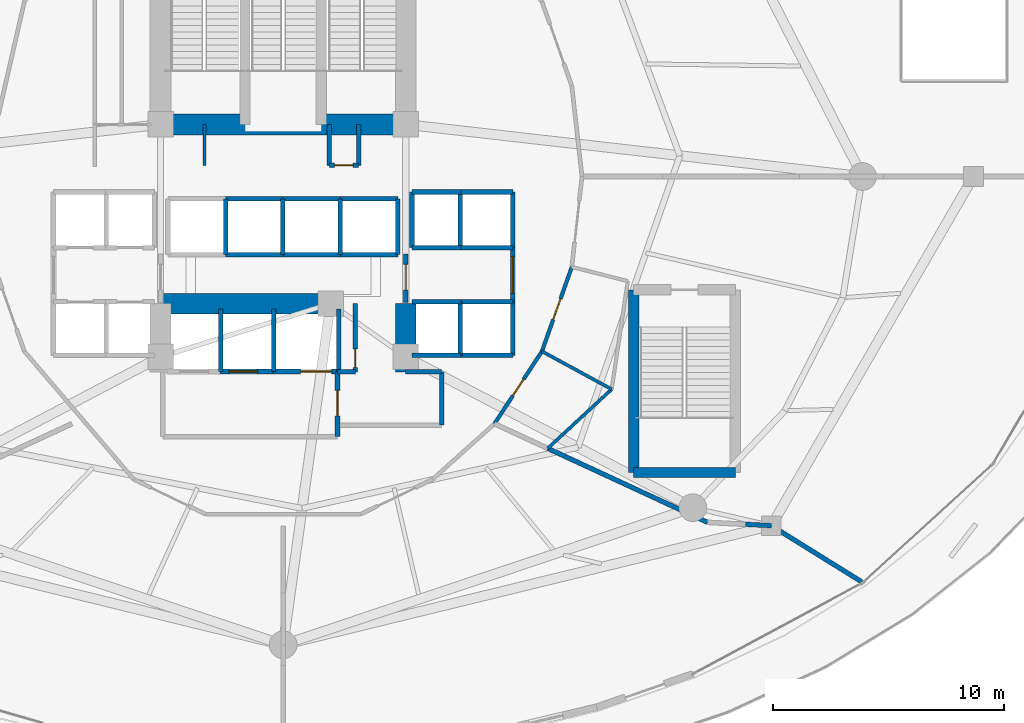
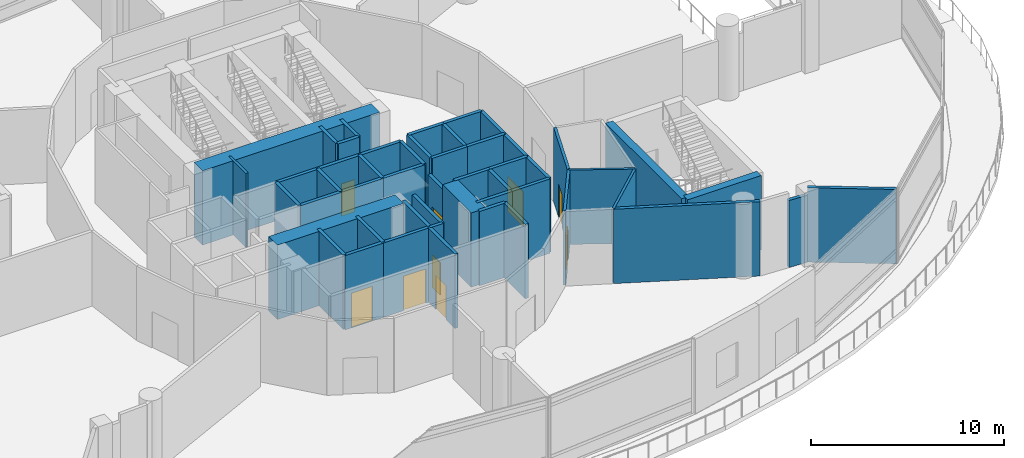
# One storey, part 27 of 36: 51 walls, 9 doors, 9 openings.
"""IFC4 building model written with IfcOpenShell, lengths in metres."""

import ifcopenshell
import ifcopenshell.guid

model = None  # the IFC model being written
_history = None  # IfcOwnerHistory: only IFC2X3 demands one
_inside = {}  # id of a spatial element -> (the spatial element, [elements in it])
_under = {}  # id of a project, library or spatial element -> (it, [spatial elements below it])
_declared = {}  # id of a project -> (the project, [libraries it declares])
_typed = {}  # id of a type object -> (the type object, [elements of that type])
_made_of = {}  # id of a material, layer set ... -> (it, [elements and type objects made of it])


def new_model(schema):
    """Start an empty IFC model of exactly this schema.

    Asked for "IFC4X3", IfcOpenShell would pick the latest addendum, in which some entities
    have other attributes; the version numbers below select the first issue.
    IFC2X3 requires an IfcOwnerHistory on every rooted entity: one is made here for all.
    """
    global model, _history
    if schema == "IFC4X3":
        model = ifcopenshell.file(schema_version=(4, 3, 0, 0))
    else:
        model = ifcopenshell.file(schema=schema)
    _inside.clear()
    _under.clear()
    _declared.clear()
    _typed.clear()
    _made_of.clear()
    _history = None
    if model.schema == "IFC2X3":
        org = make("IfcOrganization", Name="unknown")
        user = make(
            "IfcPersonAndOrganization",
            ThePerson=make("IfcPerson", FamilyName="unknown"),
            TheOrganization=org,
        )
        app = make(
            "IfcApplication",
            ApplicationDeveloper=org,
            Version="unknown",
            ApplicationFullName="unknown",
            ApplicationIdentifier="unknown",
        )
        _history = make(
            "IfcOwnerHistory",
            OwningUser=user,
            OwningApplication=app,
            ChangeAction="ADDED",
            CreationDate=0,
        )
    return model


def make(cls, **values):
    """One entity of the class cls with the attributes given. An attribute that is None is left unset."""
    return model.create_entity(
        cls, **{name: value for name, value in values.items() if value is not None}
    )


def rooted(cls, **values):
    """An entity with a GlobalId (a new one), such as an element, a storey or a relation."""
    return make(cls, GlobalId=ifcopenshell.guid.new(), OwnerHistory=_history, **values)


def si_unit(unit_type, name, prefix=None):
    """IfcSIUnit, for example si_unit("LENGTHUNIT", "METRE", prefix="MILLI")."""
    return make("IfcSIUnit", UnitType=unit_type, Prefix=prefix, Name=name)


def assignment(units):
    """IfcUnitAssignment: the units of a project."""
    return None if units is None else make("IfcUnitAssignment", Units=units)


def point(xyz):
    """IfcCartesianPoint."""
    return None if xyz is None else make("IfcCartesianPoint", Coordinates=xyz)


def direction(xyz):
    """IfcDirection."""
    return None if xyz is None else make("IfcDirection", DirectionRatios=xyz)


def frame(location, z_axis=None, x_axis=None):
    """IfcAxis2Placement3D, a coordinate frame: its origin and axes. An axis left out is left unset."""
    return make(
        "IfcAxis2Placement3D",
        Location=point(location),
        Axis=direction(z_axis),
        RefDirection=direction(x_axis),
    )


def frame_2d(location, x_axis=None):
    """IfcAxis2Placement2D, a coordinate frame in the plane: its origin and x axis."""
    return make(
        "IfcAxis2Placement2D", Location=point(location), RefDirection=direction(x_axis)
    )


def origin():
    """The frame at (0, 0, 0) with its axes left unset."""
    return frame((0.0, 0.0, 0.0))


def place(relative_to, where):
    """IfcLocalPlacement: puts the frame where relative to a parent placement (None: the world)."""
    return make(
        "IfcLocalPlacement", PlacementRelTo=relative_to, RelativePlacement=where
    )


def context(
    kind, dimensions, precision=None, world=None, true_north=None, identifier=None
):
    """IfcGeometricRepresentationContext, for example the 3D "Model" context."""
    return make(
        "IfcGeometricRepresentationContext",
        ContextIdentifier=identifier,
        ContextType=kind,
        CoordinateSpaceDimension=dimensions,
        Precision=precision,
        WorldCoordinateSystem=world,
        TrueNorth=true_north,
    )


def subcontext(parent, identifier, kind, view, scale=None):
    """IfcGeometricRepresentationSubContext, for example "Body" below "Model"."""
    return make(
        "IfcGeometricRepresentationSubContext",
        ContextIdentifier=identifier,
        ContextType=kind,
        ParentContext=parent,
        TargetScale=scale,
        TargetView=view,
    )


def project(units=None, contexts=None):
    """IfcProject with its units and contexts."""
    return rooted(
        "IfcProject",
        Name="project",
        RepresentationContexts=contexts,
        UnitsInContext=assignment(units),
    )


def spatial(cls, under=None, at=None, **own):
    """A site, building, storey or space (cls), placed at a placement, below another one or the project."""
    s = rooted(cls, ObjectPlacement=at, **own)
    if under is not None:
        _under.setdefault(under.id(), (under, []))[1].append(s)
    return s


def profile(cls, at=None, kind="AREA", **sizes):
    """A parametric profile (cls). Its sizes go by their IFC names, for example OverallWidth=200.0."""
    return make(cls, ProfileType=kind, Position=at, **sizes)


def rectangle(**sizes):
    """IfcRectangleProfileDef."""
    return profile("IfcRectangleProfileDef", **sizes)


def extrude(swept, where, along, depth):
    """IfcExtrudedAreaSolid: the profile swept, set in the frame where, extruded along a direction by depth."""
    return make(
        "IfcExtrudedAreaSolid",
        SweptArea=swept,
        Position=where,
        ExtrudedDirection=direction(along),
        Depth=depth,
    )


def shape(context_of_items, identifier, shape_type, items):
    """IfcShapeRepresentation: the items that make up one representation, for example the "Body"."""
    return make(
        "IfcShapeRepresentation",
        ContextOfItems=context_of_items,
        RepresentationIdentifier=identifier,
        RepresentationType=shape_type,
        Items=items,
    )


def material(Name=None, Category=None):
    """IfcMaterial."""
    return make("IfcMaterial", Name=Name, Category=Category)


def layer(
    of_material, thickness, ventilated=None, Name=None, Category=None, Priority=None
):
    """IfcMaterialLayer: one layer of a wall or slab, of a material (None: an air gap)."""
    return make(
        "IfcMaterialLayer",
        Material=of_material,
        LayerThickness=thickness,
        IsVentilated=ventilated,
        Name=Name,
        Category=Category,
        Priority=Priority,
    )


def layer_set(layers, Name=None):
    """IfcMaterialLayerSet."""
    return make("IfcMaterialLayerSet", MaterialLayers=layers, LayerSetName=Name)


def made_of(thing, what):
    """Note that an element or type object is made of a material, layer set ...; save() writes the relation."""
    if what is not None:
        _made_of.setdefault(what.id(), (what, []))[1].append(thing)
    return thing


def type_object(cls, material=None, **own):
    """A type object (cls), such as IfcWallType, which elements share."""
    return made_of(rooted(cls, **own), material)


def element(
    cls,
    number,
    at=None,
    inside=None,
    cuts=None,
    type_object=None,
    material=None,
    context=None,
    identifier="Body",
    shape_type=None,
    held_by="IfcProductDefinitionShape",
    body=None,
    shapes=None,
    **own,
):
    """One element of the class cls, such as IfcWall. Its Tag is "e" and its number.

    at: its placement. inside: the storey or other place that contains it. cuts: it is an
    opening in that element (IfcRelVoidsElement). A single representation is given by context,
    identifier, shape_type and body (its items); several are given by shapes. held_by: the class
    of the entity that holds the representations. save() writes the other relations.
    """
    e = rooted(cls, Tag="e%d" % number, ObjectPlacement=at, **own)
    if body is not None:
        shapes = [shape(context, identifier, shape_type, body)]
    if shapes is not None:
        e.Representation = make(held_by, Representations=shapes)
    if inside is not None:
        _inside.setdefault(inside.id(), (inside, []))[1].append(e)
    if cuts is not None:
        rooted(
            "IfcRelVoidsElement", RelatingBuildingElement=cuts, RelatedOpeningElement=e
        )
    if type_object is not None:
        _typed.setdefault(type_object.id(), (type_object, []))[1].append(e)
    return made_of(e, material)


def fill(opening, filler):
    """IfcRelFillsElement: the door or window that sits in an opening."""
    return rooted(
        "IfcRelFillsElement",
        RelatingOpeningElement=opening,
        RelatedBuildingElement=filler,
    )


def aggregate(whole, parts):
    """IfcRelAggregates: a whole, such as a stair, and the parts it consists of."""
    return rooted("IfcRelAggregates", RelatingObject=whole, RelatedObjects=parts)


def save(model, path):
    """Write the relations noted so far, then the file.

    IfcRelAggregates (storeys below a building ...), IfcRelContainedInSpatialStructure (elements
    in a storey), IfcRelDefinesByType, IfcRelAssociatesMaterial and IfcRelDeclares: one each for
    every whole, place, type object, material and project.
    """
    for whole, parts in _under.values():
        aggregate(whole, parts)
    for where, things in _inside.values():
        rooted(
            "IfcRelContainedInSpatialStructure",
            RelatedElements=things,
            RelatingStructure=where,
        )
    for kind, things in _typed.values():
        rooted("IfcRelDefinesByType", RelatedObjects=things, RelatingType=kind)
    for what, things in _made_of.values():
        rooted("IfcRelAssociatesMaterial", RelatedObjects=things, RelatingMaterial=what)
    for by, libraries in _declared.values():
        rooted("IfcRelDeclares", RelatingContext=by, RelatedDefinitions=libraries)
    model.write(path)


model = new_model("IFC4")

# Units and contexts
model_context = context("Model", 3, precision=1e-05, world=origin(), true_north=direction((0.0, 1.0)))
body_context = subcontext(model_context, "Body", "Model", "MODEL_VIEW")
ifc_project = project(units=[si_unit("LENGTHUNIT", "METRE"), si_unit("AREAUNIT", "SQUARE_METRE"), si_unit("VOLUMEUNIT", "CUBIC_METRE"), si_unit("PLANEANGLEUNIT", "RADIAN"), si_unit("MASSUNIT", "GRAM", prefix="KILO")], contexts=[model_context])

# Site, building, storey
site_placement = place(None, origin())
site = spatial("IfcSite", under=ifc_project, at=site_placement, CompositionType="ELEMENT")
building_placement = place(site_placement, origin())
building = spatial("IfcBuilding", under=site, at=building_placement, Name="Nuhasar Tower", CompositionType="ELEMENT")
storey_placement = place(building_placement, frame((0.0, 0.0, 11.0)))
storey = spatial("IfcBuildingStorey", under=building, at=storey_placement, Name="L02", CompositionType="ELEMENT", Elevation=11.0)

# Walls
ifc_material_1 = material(Name="Concrete C50/60", Category="concrete")
ifc_layer_1 = layer(ifc_material_1, 0.449951171875)
ifc_layer_set_1 = layer_set([ifc_layer_1], Name="Concrete C50/60")
wall_type_1 = type_object("IfcWallType", Name="WL-CORE-450", PredefinedType="SHEAR", material=ifc_layer_set_1)
wall_1_placement = place(storey_placement, frame((54.14990234375, 14.0, 0.0), z_axis=(0.0, 0.0, 1.0), x_axis=(1.0, 0.0, 0.0)))
element("IfcWall", 1, at=wall_1_placement, inside=storey, type_object=wall_type_1, Name="L02 Stairwell Shear Wall ST-05-S", PredefinedType="SHEAR", context=body_context, shape_type="SweptSolid", body=[
    extrude(rectangle(XDim=4.400146484375, YDim=0.449951171875, at=frame_2d((2.2001953125, 0.0))), origin(), (0.0, 0.0, 1.0), 4.699951171875),
])
wall_2_placement = place(storey_placement, frame((54.14990234375, 14.0, 0.0), z_axis=(0.0, 0.0, 1.0), x_axis=(0.0, 1.0, 0.0)))
element("IfcWall", 2, at=wall_2_placement, inside=storey, type_object=wall_type_1, Name="L02 Stairwell Shear Wall ST-05-W", PredefinedType="SHEAR", context=body_context, shape_type="SweptSolid", body=[
    extrude(rectangle(XDim=7.89990234375, YDim=0.449951171875, at=frame_2d((3.949951171875, 0.0))), origin(), (0.0, 0.0, 1.0), 4.699951171875),
])
ifc_material_2 = material(Name="Concrete C80/95", Category="concrete")
ifc_layer_2 = layer(ifc_material_2, 0.89990234375)
ifc_layer_set_2 = layer_set([ifc_layer_2], Name="Concrete C80/95")
wall_type_2 = type_object("IfcWallType", Name="WL-CORE-900", PredefinedType="SHEAR", material=ifc_layer_set_2)
wall_3_placement = place(storey_placement, frame((44.300048828125, 18.35009765625, 0.0), z_axis=(0.0, 0.0, 1.0), x_axis=(0.0, 1.0, 0.0)))
element("IfcWall", 3, at=wall_3_placement, inside=storey, type_object=wall_type_2, Name="L02 Core Shear Wall CW-SE CW-900", PredefinedType="SHEAR", context=body_context, shape_type="SweptSolid", body=[
    extrude(rectangle(XDim=2.949951171875, YDim=0.89990234375, at=frame_2d((1.47509765625, 0.0))), origin(), (0.0, 0.0, 1.0), 4.699951171875),
])
wall_4_placement = place(storey_placement, frame((33.699951171875, 29.050048828125, 0.0), z_axis=(0.0, 0.0, 1.0), x_axis=(1.0, 0.0, 0.0)))
element("IfcWall", 4, at=wall_4_placement, inside=storey, type_object=wall_type_2, Name="L02 Core Shear Wall CW-N1 CW-900", PredefinedType="SHEAR", context=body_context, shape_type="SweptSolid", body=[
    extrude(rectangle(XDim=10.60009765625, YDim=0.89990234375, at=frame_2d((5.300048828125, 0.0))), origin(), (0.0, 0.0, 1.0), 4.699951171875),
])
wall_5_placement = place(storey_placement, frame((33.699951171875, 21.300048828125, 0.0), z_axis=(0.0, 0.0, 1.0), x_axis=(1.0, 0.0, 0.0)))
element("IfcWall", 5, at=wall_5_placement, inside=storey, type_object=wall_type_2, Name="L02 Core Shear Wall CW-S1 CW-900", PredefinedType="SHEAR", context=body_context, shape_type="SweptSolid", body=[
    extrude(rectangle(XDim=7.550048828125, YDim=0.89990234375, at=frame_2d((3.77490234375, 0.0))), origin(), (0.0, 0.0, 1.0), 4.699951171875),
])

# Wall, opening, door
ifc_material_3 = material(Name="Gypsum Board", Category="gypsum")
ifc_layer_3 = layer(ifc_material_3, 0.159912109375)
ifc_layer_set_3 = layer_set([ifc_layer_3], Name="Gypsum Board")
wall_type_3 = type_object("IfcWallType", Name="WL-CORR-160", PredefinedType="PARTITIONING", material=ifc_layer_set_3)
wall_6_placement = place(storey_placement, frame((50.18896484375, 19.239990234375, 0.0), z_axis=(0.0, 0.0, 1.0), x_axis=(-0.548318837904, -0.836269365694, 0.0)))
wall_6 = element("IfcWall", 6, at=wall_6_placement, inside=storey, type_object=wall_type_3, Name="L02 Interior Partition CORR-42", PredefinedType="PARTITIONING", context=body_context, shape_type="SweptSolid", body=[
    extrude(rectangle(XDim=3.744140625, YDim=0.159912109375, at=frame_2d((1.8720703125, 0.0))), origin(), (0.0, 0.0, 1.0), 4.699951171875),
])
opening_1_placement = place(wall_6_placement, frame((1.447021484375, 0.0, 0.0)))
opening_1 = element("IfcOpeningElement", 7, at=opening_1_placement, cuts=wall_6, Name="Opening DB-01", PredefinedType="OPENING", context=body_context, shape_type="SweptSolid", body=[
    extrude(rectangle(XDim=0.85009765625, YDim=2.10009765625, at=frame_2d((0.425048828125, 1.050048828125))), frame((0.0, 0.08984375, 0.0), z_axis=(0.0, -1.0, 0.0), x_axis=(1.0, 0.0, 0.0)), (0.0, 0.0, 1.0), 0.179931640625),
])
ifc_material_4 = material(Name="Timber Oak", Category="wood")
door_type_1 = type_object("IfcDoorType", Name="DR-BATH-850", OperationType="NOTDEFINED", PredefinedType="DOOR", material=ifc_material_4)
door_1_placement = place(opening_1_placement, origin())
door_1 = element("IfcDoor", 8, at=door_1_placement, inside=storey, type_object=door_type_1, Name="L02 Conference Restroom Door", OperationType="SINGLE_SWING_LEFT", OverallHeight=2.10009765625, OverallWidth=0.85009765625, PredefinedType="DOOR", context=body_context, shape_type="SweptSolid", body=[
    extrude(rectangle(XDim=0.85009765625, YDim=2.10009765625, at=frame_2d((0.425048828125, 1.050048828125))), frame((0.0, 0.02490234375, 0.0), z_axis=(0.0, -1.0, 0.0), x_axis=(1.0, 0.0, 0.0)), (0.0, 0.0, 1.0), 0.050048828125),
])
fill(opening_1, door_1)

wall_7_placement = place(storey_placement, frame((51.47998046875, 22.886962890625, 0.0), z_axis=(0.0, 0.0, 1.0), x_axis=(-0.333704620558, -0.942677689467, 0.0)))
wall_7 = element("IfcWall", 9, at=wall_7_placement, inside=storey, type_object=wall_type_3, Name="L02 Interior Partition CORR-44", PredefinedType="PARTITIONING", context=body_context, shape_type="SweptSolid", body=[
    extrude(rectangle(XDim=3.86865234375, YDim=0.159912109375, at=frame_2d((1.934326171875, 0.0))), origin(), (0.0, 0.0, 1.0), 4.699951171875),
])
opening_2_placement = place(wall_7_placement, frame((1.458984375, 0.0, 0.0)))
opening_2 = element("IfcOpeningElement", 10, at=opening_2_placement, cuts=wall_7, Name="Opening DA-01", PredefinedType="OPENING", context=body_context, shape_type="SweptSolid", body=[
    extrude(rectangle(XDim=0.949951171875, YDim=2.10009765625, at=frame_2d((0.47509765625, 1.050048828125))), frame((0.0, 0.08984375, 0.0), z_axis=(0.0, -1.0, 0.0), x_axis=(1.0, 0.0, 0.0)), (0.0, 0.0, 1.0), 0.179931640625),
])
door_type_2 = type_object("IfcDoorType", Name="DR-ACCWC-950", OperationType="NOTDEFINED", PredefinedType="DOOR", material=ifc_material_4)
door_2_placement = place(opening_2_placement, origin())
door_2 = element("IfcDoor", 11, at=door_2_placement, inside=storey, type_object=door_type_2, Name="L02 Conference Accessible WC Door", OperationType="SINGLE_SWING_RIGHT", OverallHeight=2.10009765625, OverallWidth=0.949951171875, PredefinedType="DOOR", context=body_context, shape_type="SweptSolid", body=[
    extrude(rectangle(XDim=0.949951171875, YDim=2.10009765625, at=frame_2d((0.47509765625, 1.050048828125))), frame((0.0, 0.02490234375, 0.0), z_axis=(0.0, -1.0, 0.0), x_axis=(1.0, 0.0, 0.0)), (0.0, 0.0, 1.0), 0.050048828125),
])
fill(opening_2, door_2)

ifc_material_5 = material(Name="Concrete C45/55", Category="concrete")
ifc_layer_4 = layer(ifc_material_5, 0.199951171875)
ifc_layer_set_4 = layer_set([ifc_layer_4], Name="Concrete C45/55")
wall_type_4 = type_object("IfcWallType", Name="WL-LOBBY-200", PredefinedType="SOLIDWALL", material=ifc_layer_set_4)
wall_8_placement = place(storey_placement, frame((48.929931640625, 21.3798828125, 0.0), z_axis=(0.0, 0.0, 1.0), x_axis=(0.0, 1.0, 0.0)))
wall_8 = element("IfcWall", 12, at=wall_8_placement, inside=storey, type_object=wall_type_4, Name="L02 Interior Partition LLBM-E", PredefinedType="SOLIDWALL", context=body_context, shape_type="SweptSolid", body=[
    extrude(rectangle(XDim=2.340087890625, YDim=0.199951171875, at=frame_2d((1.169921875, 0.0))), origin(), (0.0, 0.0, 1.0), 4.699951171875),
])
opening_3_placement = place(wall_8_placement, frame((0.3701171875, 0.0, 0.0)))
opening_3 = element("IfcOpeningElement", 13, at=opening_3_placement, cuts=wall_8, Name="Opening DC-01", PredefinedType="OPENING", context=body_context, shape_type="SweptSolid", body=[
    extrude(rectangle(XDim=1.60009765625, YDim=2.199951171875, at=frame_2d((0.800048828125, 1.10009765625))), frame((0.0, 0.10986328125, 0.0), z_axis=(0.0, -1.0, 0.0), x_axis=(1.0, 0.0, 0.0)), (0.0, 0.0, 1.0), 0.219970703125),
])
ifc_material_6 = material(Name="Steel S355", Category="steel")
door_type_3 = type_object("IfcDoorType", Name="DR-CORR-FD60-1600", OperationType="DOUBLE_DOOR_SINGLE_SWING", PredefinedType="DOOR", material=ifc_material_6)
door_3_placement = place(opening_3_placement, origin())
door_3 = element("IfcDoor", 14, at=door_3_placement, inside=storey, type_object=door_type_3, Name="L02 Mid-Rise Lift Lobby East Entry", OperationType="DOUBLE_DOOR_SINGLE_SWING", OverallHeight=2.199951171875, OverallWidth=1.60009765625, PredefinedType="DOOR", context=body_context, shape_type="SweptSolid", body=[
    extrude(rectangle(XDim=1.60009765625, YDim=2.199951171875, at=frame_2d((0.800048828125, 1.10009765625))), frame((0.0, 0.02490234375, 0.0), z_axis=(0.0, -1.0, 0.0), x_axis=(1.0, 0.0, 0.0)), (0.0, 0.0, 1.0), 0.050048828125),
])
fill(opening_3, door_3)

wall_9_placement = place(storey_placement, frame((44.300048828125, 21.35009765625, 0.0), z_axis=(0.0, 0.0, 1.0), x_axis=(0.0, 1.0, 0.0)))
wall_9 = element("IfcWall", 15, at=wall_9_placement, inside=storey, type_object=wall_type_4, Name="L02 Interior Partition LLBH-E", PredefinedType="SOLIDWALL", context=body_context, shape_type="SweptSolid", body=[
    extrude(rectangle(XDim=2.099853515625, YDim=0.199951171875, at=frame_2d((1.0498046875, 0.0))), origin(), (0.0, 0.0, 1.0), 3.919921875),
])
opening_4_placement = place(wall_9_placement, frame((0.550048828125, 0.0, 0.0)))
opening_4 = element("IfcOpeningElement", 16, at=opening_4_placement, cuts=wall_9, Name="Opening DS-02", PredefinedType="OPENING", context=body_context, shape_type="SweptSolid", body=[
    extrude(rectangle(XDim=1.10009765625, YDim=2.14990234375, at=frame_2d((0.550048828125, 1.074951171875))), frame((0.0, 0.10986328125, 0.0), z_axis=(0.0, -1.0, 0.0), x_axis=(1.0, 0.0, 0.0)), (0.0, 0.0, 1.0), 0.219970703125),
])
door_type_4 = type_object("IfcDoorType", Name="DR-FFL-FD120-1100", OperationType="NOTDEFINED", PredefinedType="DOOR", material=ifc_material_6)
door_4_placement = place(opening_4_placement, origin())
door_4 = element("IfcDoor", 17, at=door_4_placement, inside=storey, type_object=door_type_4, Name="L02 High-Rise Lobby East Door", OperationType="SINGLE_SWING_RIGHT", OverallHeight=2.14990234375, OverallWidth=1.10009765625, PredefinedType="DOOR", context=body_context, shape_type="SweptSolid", body=[
    extrude(rectangle(XDim=1.10009765625, YDim=2.14990234375, at=frame_2d((0.550048828125, 1.074951171875))), frame((0.0, 0.02490234375, 0.0), z_axis=(0.0, -1.0, 0.0), x_axis=(1.0, 0.0, 0.0)), (0.0, 0.0, 1.0), 0.050048828125),
])
fill(opening_4, door_4)

wall_10_placement = place(storey_placement, frame((41.35009765625, 15.550048828125, 0.0), z_axis=(0.0, 0.0, 1.0), x_axis=(0.0, 1.0, 0.0)))
wall_10 = element("IfcWall", 18, at=wall_10_placement, inside=storey, type_object=wall_type_4, Name="L02 Interior Partition FFL-E", PredefinedType="SOLIDWALL", context=body_context, shape_type="SweptSolid", body=[
    extrude(rectangle(XDim=2.800048828125, YDim=0.199951171875, at=frame_2d((1.39990234375, 0.0))), origin(), (0.0, 0.0, 1.0), 4.699951171875),
])
opening_5_placement = place(wall_10_placement, frame((0.89990234375, 0.0, 0.0)))
opening_5 = element("IfcOpeningElement", 19, at=opening_5_placement, cuts=wall_10, Name="Opening DS-02", PredefinedType="OPENING", context=body_context, shape_type="SweptSolid", body=[
    extrude(rectangle(XDim=1.10009765625, YDim=2.14990234375, at=frame_2d((0.550048828125, 1.074951171875))), frame((0.0, 0.10986328125, 0.0), z_axis=(0.0, -1.0, 0.0), x_axis=(1.0, 0.0, 0.0)), (0.0, 0.0, 1.0), 0.219970703125),
])
door_5_placement = place(opening_5_placement, origin())
door_5 = element("IfcDoor", 20, at=door_5_placement, inside=storey, type_object=door_type_4, Name="L02 Firefighting Lobby Door", OperationType="SINGLE_SWING_RIGHT", OverallHeight=2.14990234375, OverallWidth=1.10009765625, PredefinedType="DOOR", context=body_context, shape_type="SweptSolid", body=[
    extrude(rectangle(XDim=1.10009765625, YDim=2.14990234375, at=frame_2d((0.550048828125, 1.074951171875))), frame((0.0, 0.02490234375, 0.0), z_axis=(0.0, -1.0, 0.0), x_axis=(1.0, 0.0, 0.0)), (0.0, 0.0, 1.0), 0.050048828125),
])
fill(opening_5, door_5)

# Walls
wall_11_placement = place(storey_placement, frame((45.85009765625, 16.050048828125, 0.0), z_axis=(0.0, 0.0, 1.0), x_axis=(0.0, 1.0, 0.0)))
element("IfcWall", 21, at=wall_11_placement, inside=storey, type_object=wall_type_4, Name="L02 Interior Partition SVLV-E", PredefinedType="SOLIDWALL", context=body_context, shape_type="SweptSolid", body=[
    extrude(rectangle(XDim=2.300048828125, YDim=0.199951171875, at=frame_2d((1.14990234375, 0.0))), origin(), (0.0, 0.0, 1.0), 4.699951171875),
])
wall_12_placement = place(storey_placement, frame((44.300048828125, 18.35009765625, 0.0), z_axis=(0.0, 0.0, 1.0), x_axis=(1.0, 0.0, 0.0)))
element("IfcWall", 22, at=wall_12_placement, inside=storey, type_object=wall_type_4, Name="L02 Interior Partition SVLV-N", PredefinedType="SOLIDWALL", context=body_context, shape_type="SweptSolid", body=[
    extrude(rectangle(XDim=1.550048828125, YDim=0.199951171875, at=frame_2d((0.77490234375, 0.0))), origin(), (0.0, 0.0, 1.0), 4.699951171875),
])
ifc_layer_5 = layer(ifc_material_5, 0.199951171875)
ifc_layer_set_5 = layer_set([ifc_layer_5], Name="Concrete C45/55")
wall_type_5 = type_object("IfcWallType", Name="WL-SHAFT-200", PredefinedType="SOLIDWALL", material=ifc_layer_set_5)
for number, where, z_axis, x_axis, name in (
    (23, (41.0, 27.280029296875, 0.0), (0.0, 0.0, 1.0), (0.0, 1.0, 0.0), "L02 Interior Partition RSRN-W"),
    (24, (42.260009765625, 27.280029296875, 0.0), (0.0, 0.0, 1.0), (0.0, 1.0, 0.0), "L02 Interior Partition RSRN-E"),
):
    element("IfcWall", number, at=place(storey_placement, frame(where, z_axis=z_axis, x_axis=x_axis)), inside=storey, type_object=wall_type_5, Name=name, PredefinedType="SOLIDWALL", context=body_context, shape_type="SweptSolid", body=[
        extrude(rectangle(XDim=1.77001953125, YDim=0.199951171875, at=frame_2d((0.885009765625, 0.0))), origin(), (0.0, 0.0, 1.0), 4.699951171875),
    ])

# Wall, opening, door
wall_13_placement = place(storey_placement, frame((41.0, 27.280029296875, 0.0), z_axis=(0.0, 0.0, 1.0), x_axis=(1.0, 0.0, 0.0)))
wall_13 = element("IfcWall", 25, at=wall_13_placement, inside=storey, type_object=wall_type_5, Name="L02 Interior Partition RSRN-S", PredefinedType="SOLIDWALL", context=body_context, shape_type="SweptSolid", body=[
    extrude(rectangle(XDim=1.260009765625, YDim=0.199951171875, at=frame_2d((0.6298828125, 0.0))), origin(), (0.0, 0.0, 1.0), 4.699951171875),
])
opening_6_placement = place(wall_13_placement, frame((0.22998046875, 0.0, 0.0)))
opening_6 = element("IfcOpeningElement", 26, at=opening_6_placement, cuts=wall_13, Name="Opening DM-01", PredefinedType="OPENING", context=body_context, shape_type="SweptSolid", body=[
    extrude(rectangle(XDim=0.800048828125, YDim=2.050048828125, at=frame_2d((0.39990234375, 1.02490234375))), frame((0.0, 0.10986328125, 0.0), z_axis=(0.0, -1.0, 0.0), x_axis=(1.0, 0.0, 0.0)), (0.0, 0.0, 1.0), 0.219970703125),
])
door_type_5 = type_object("IfcDoorType", Name="DR-RISER-FD60-800", OperationType="NOTDEFINED", PredefinedType="DOOR", material=ifc_material_6)
door_6_placement = place(opening_6_placement, origin())
door_6 = element("IfcDoor", 27, at=door_6_placement, inside=storey, type_object=door_type_5, Name="L02 North Smoke Riser Door", OperationType="SINGLE_SWING_RIGHT", OverallHeight=2.050048828125, OverallWidth=0.800048828125, PredefinedType="DOOR", context=body_context, shape_type="SweptSolid", body=[
    extrude(rectangle(XDim=0.800048828125, YDim=2.050048828125, at=frame_2d((0.39990234375, 1.02490234375))), frame((0.0, 0.02490234375, 0.0), z_axis=(0.0, -1.0, 0.0), x_axis=(1.0, 0.0, 0.0)), (0.0, 0.0, 1.0), 0.050048828125),
])
fill(opening_6, door_6)

# Walls
for number, where, z_axis, x_axis, name in (
    (28, (44.570068359375, 23.719970703125, 0.0), (0.0, 0.0, 1.0), (1.0, 0.0, 0.0), "L02 Interior Partition SHF-PL-M01-S"),
    (29, (44.570068359375, 26.1298828125, 0.0), (0.0, 0.0, 1.0), (1.0, 0.0, 0.0), "L02 Interior Partition SHF-PL-M01-N"),
):
    element("IfcWall", number, at=place(storey_placement, frame(where, z_axis=z_axis, x_axis=x_axis)), inside=storey, type_object=wall_type_5, Name=name, PredefinedType="SOLIDWALL", context=body_context, shape_type="SweptSolid", body=[
        extrude(rectangle(XDim=2.10986328125, YDim=0.199951171875, at=frame_2d((1.054931640625, 0.0))), origin(), (0.0, 0.0, 1.0), 4.699951171875),
    ])
for number, where, z_axis, x_axis, name in (
    (30, (44.570068359375, 23.719970703125, 0.0), (0.0, 0.0, 1.0), (0.0, 1.0, 0.0), "L02 Interior Partition SHF-PL-M01-W"),
    (31, (46.64990234375, 23.719970703125, 0.0), (0.0, 0.0, 1.0), (0.0, 1.0, 0.0), "L02 Interior Partition SHF-PL-M01-E"),
):
    element("IfcWall", number, at=place(storey_placement, frame(where, z_axis=z_axis, x_axis=x_axis)), inside=storey, type_object=wall_type_5, Name=name, PredefinedType="SOLIDWALL", context=body_context, shape_type="SweptSolid", body=[
        extrude(rectangle(XDim=2.409912109375, YDim=0.199951171875, at=frame_2d((1.205078125, 0.0))), origin(), (0.0, 0.0, 1.0), 4.699951171875),
    ])
for number, where, z_axis, x_axis, name in (
    (32, (46.6201171875, 23.719970703125, 0.0), (0.0, 0.0, 1.0), (1.0, 0.0, 0.0), "L02 Interior Partition SHF-PL-M02-S"),
    (33, (46.6201171875, 26.1298828125, 0.0), (0.0, 0.0, 1.0), (1.0, 0.0, 0.0), "L02 Interior Partition SHF-PL-M02-N"),
):
    element("IfcWall", number, at=place(storey_placement, frame(where, z_axis=z_axis, x_axis=x_axis)), inside=storey, type_object=wall_type_5, Name=name, PredefinedType="SOLIDWALL", context=body_context, shape_type="SweptSolid", body=[
        extrude(rectangle(XDim=2.309814453125, YDim=0.199951171875, at=frame_2d((1.15478515625, 0.0))), origin(), (0.0, 0.0, 1.0), 4.699951171875),
    ])
wall_14_placement = place(storey_placement, frame((48.929931640625, 23.719970703125, 0.0), z_axis=(0.0, 0.0, 1.0), x_axis=(0.0, 1.0, 0.0)))
element("IfcWall", 34, at=wall_14_placement, inside=storey, type_object=wall_type_5, Name="L02 Interior Partition SHF-PL-M02-E", PredefinedType="SOLIDWALL", context=body_context, shape_type="SweptSolid", body=[
    extrude(rectangle(XDim=2.409912109375, YDim=0.199951171875, at=frame_2d((1.205078125, 0.0))), origin(), (0.0, 0.0, 1.0), 4.699951171875),
])
for number, where, z_axis, x_axis, name in (
    (35, (44.570068359375, 19.070068359375, 0.0), (0.0, 0.0, 1.0), (1.0, 0.0, 0.0), "L02 Interior Partition SHF-PL-M03-S"),
    (36, (44.570068359375, 21.3798828125, 0.0), (0.0, 0.0, 1.0), (1.0, 0.0, 0.0), "L02 Interior Partition SHF-PL-M03-N"),
):
    element("IfcWall", number, at=place(storey_placement, frame(where, z_axis=z_axis, x_axis=x_axis)), inside=storey, type_object=wall_type_5, Name=name, PredefinedType="SOLIDWALL", context=body_context, shape_type="SweptSolid", body=[
        extrude(rectangle(XDim=2.10986328125, YDim=0.199951171875, at=frame_2d((1.054931640625, 0.0))), origin(), (0.0, 0.0, 1.0), 4.699951171875),
    ])
for number, where, z_axis, x_axis, name in (
    (37, (46.64990234375, 19.070068359375, 0.0), (0.0, 0.0, 1.0), (0.0, 1.0, 0.0), "L02 Interior Partition SHF-PL-M03-E"),
    (38, (46.6201171875, 19.070068359375, 0.0), (0.0, 0.0, 1.0), (1.0, 0.0, 0.0), "L02 Interior Partition SHF-PL-M04-S"),
    (39, (46.6201171875, 21.3798828125, 0.0), (0.0, 0.0, 1.0), (1.0, 0.0, 0.0), "L02 Interior Partition SHF-PL-M04-N"),
    (40, (48.929931640625, 19.070068359375, 0.0), (0.0, 0.0, 1.0), (0.0, 1.0, 0.0), "L02 Interior Partition SHF-PL-M04-E"),
):
    element("IfcWall", number, at=place(storey_placement, frame(where, z_axis=z_axis, x_axis=x_axis)), inside=storey, type_object=wall_type_5, Name=name, PredefinedType="SOLIDWALL", context=body_context, shape_type="SweptSolid", body=[
        extrude(rectangle(XDim=2.309814453125, YDim=0.199951171875, at=frame_2d((1.15478515625, 0.0))), origin(), (0.0, 0.0, 1.0), 4.699951171875),
    ])
wall_15_placement = place(storey_placement, frame((36.510009765625, 23.419921875, 0.0), z_axis=(0.0, 0.0, 1.0), x_axis=(0.0, 1.0, 0.0)))
element("IfcWall", 41, at=wall_15_placement, inside=storey, type_object=wall_type_5, Name="L02 Interior Partition SHF-PL-H01-E", PredefinedType="SOLIDWALL", context=body_context, shape_type="SweptSolid", body=[
    extrude(rectangle(XDim=2.41015625, YDim=0.199951171875, at=frame_2d((1.205078125, 0.0))), origin(), (0.0, 0.0, 1.0), 4.699951171875),
])
for number, where, z_axis, x_axis, name in (
    (42, (36.5, 23.419921875, 0.0), (0.0, 0.0, 1.0), (1.0, 0.0, 0.0), "L02 Interior Partition SHF-PL-H02-S"),
    (43, (36.5, 25.830078125, 0.0), (0.0, 0.0, 1.0), (1.0, 0.0, 0.0), "L02 Interior Partition SHF-PL-H02-N"),
):
    element("IfcWall", number, at=place(storey_placement, frame(where, z_axis=z_axis, x_axis=x_axis)), inside=storey, type_object=wall_type_5, Name=name, PredefinedType="SOLIDWALL", context=body_context, shape_type="SweptSolid", body=[
        extrude(rectangle(XDim=2.5, YDim=0.199951171875, at=frame_2d((1.25, 0.0))), origin(), (0.0, 0.0, 1.0), 4.699951171875),
    ])
wall_16_placement = place(storey_placement, frame((38.989990234375, 23.419921875, 0.0), z_axis=(0.0, 0.0, 1.0), x_axis=(0.0, 1.0, 0.0)))
element("IfcWall", 44, at=wall_16_placement, inside=storey, type_object=wall_type_5, Name="L02 Interior Partition SHF-PL-H02-E", PredefinedType="SOLIDWALL", context=body_context, shape_type="SweptSolid", body=[
    extrude(rectangle(XDim=2.41015625, YDim=0.199951171875, at=frame_2d((1.205078125, 0.0))), origin(), (0.0, 0.0, 1.0), 4.699951171875),
])
for number, where, z_axis, x_axis, name in (
    (45, (38.97998046875, 23.419921875, 0.0), (0.0, 0.0, 1.0), (1.0, 0.0, 0.0), "L02 Interior Partition SHF-PL-H03-S"),
    (46, (38.97998046875, 25.830078125, 0.0), (0.0, 0.0, 1.0), (1.0, 0.0, 0.0), "L02 Interior Partition SHF-PL-H03-N"),
):
    element("IfcWall", number, at=place(storey_placement, frame(where, z_axis=z_axis, x_axis=x_axis)), inside=storey, type_object=wall_type_5, Name=name, PredefinedType="SOLIDWALL", context=body_context, shape_type="SweptSolid", body=[
        extrude(rectangle(XDim=2.5, YDim=0.199951171875, at=frame_2d((1.25, 0.0))), origin(), (0.0, 0.0, 1.0), 4.699951171875),
    ])
wall_17_placement = place(storey_placement, frame((41.469970703125, 23.419921875, 0.0), z_axis=(0.0, 0.0, 1.0), x_axis=(0.0, 1.0, 0.0)))
element("IfcWall", 47, at=wall_17_placement, inside=storey, type_object=wall_type_5, Name="L02 Interior Partition SHF-PL-H03-E", PredefinedType="SOLIDWALL", context=body_context, shape_type="SweptSolid", body=[
    extrude(rectangle(XDim=2.41015625, YDim=0.199951171875, at=frame_2d((1.205078125, 0.0))), origin(), (0.0, 0.0, 1.0), 4.699951171875),
])
for number, where, z_axis, x_axis, name in (
    (48, (41.4599609375, 23.419921875, 0.0), (0.0, 0.0, 1.0), (1.0, 0.0, 0.0), "L02 Interior Partition SHF-PL-H04-S"),
    (49, (41.4599609375, 25.830078125, 0.0), (0.0, 0.0, 1.0), (1.0, 0.0, 0.0), "L02 Interior Partition SHF-PL-H04-N"),
):
    element("IfcWall", number, at=place(storey_placement, frame(where, z_axis=z_axis, x_axis=x_axis)), inside=storey, type_object=wall_type_5, Name=name, PredefinedType="SOLIDWALL", context=body_context, shape_type="SweptSolid", body=[
        extrude(rectangle(XDim=2.5, YDim=0.199951171875, at=frame_2d((1.25, 0.0))), origin(), (0.0, 0.0, 1.0), 4.699951171875),
    ])
wall_18_placement = place(storey_placement, frame((43.9599609375, 23.419921875, 0.0), z_axis=(0.0, 0.0, 1.0), x_axis=(0.0, 1.0, 0.0)))
element("IfcWall", 50, at=wall_18_placement, inside=storey, type_object=wall_type_5, Name="L02 Interior Partition SHF-PL-H04-E", PredefinedType="SOLIDWALL", context=body_context, shape_type="SweptSolid", body=[
    extrude(rectangle(XDim=2.41015625, YDim=0.199951171875, at=frame_2d((1.205078125, 0.0))), origin(), (0.0, 0.0, 1.0), 4.699951171875),
])
wall_19_placement = place(storey_placement, frame((36.300048828125, 18.3701171875, 0.0), z_axis=(0.0, 0.0, 1.0), x_axis=(0.0, 1.0, 0.0)))
element("IfcWall", 51, at=wall_19_placement, inside=storey, type_object=wall_type_5, Name="L02 Interior Partition SHF-FFL-01-E", PredefinedType="SOLIDWALL", context=body_context, shape_type="SweptSolid", body=[
    extrude(rectangle(XDim=2.7099609375, YDim=0.199951171875, at=frame_2d((1.35498046875, 0.0))), origin(), (0.0, 0.0, 1.0), 4.699951171875),
])

# Wall, opening, door
wall_20_placement = place(storey_placement, frame((36.27001953125, 18.3701171875, 0.0), z_axis=(0.0, 0.0, 1.0), x_axis=(1.0, 0.0, 0.0)))
wall_20 = element("IfcWall", 52, at=wall_20_placement, inside=storey, type_object=wall_type_5, Name="L02 Interior Partition SHF-FFL-02-S", PredefinedType="SOLIDWALL", context=body_context, shape_type="SweptSolid", body=[
    extrude(rectangle(XDim=2.35986328125, YDim=0.199951171875, at=frame_2d((1.179931640625, 0.0))), origin(), (0.0, 0.0, 1.0), 4.699951171875),
])
opening_7_placement = place(wall_20_placement, frame((0.3798828125, 0.0, 0.0)))
opening_7 = element("IfcOpeningElement", 53, at=opening_7_placement, cuts=wall_20, Name="Opening LD-F02", PredefinedType="OPENING", context=body_context, shape_type="SweptSolid", body=[
    extrude(rectangle(XDim=1.25, YDim=2.199951171875, at=frame_2d((0.625, 1.10009765625))), frame((0.0, 0.10986328125, 0.0), z_axis=(0.0, -1.0, 0.0), x_axis=(1.0, 0.0, 0.0)), (0.0, 0.0, 1.0), 0.219970703125),
])
ifc_material_7 = material(Name="Stainless Steel 316L", Category="steel")
door_type_6 = type_object("IfcDoorType", Name="LD-FFL-1250", OperationType="DOUBLE_DOOR_SLIDING", PredefinedType="DOOR", material=ifc_material_7)
door_7_placement = place(opening_7_placement, origin())
door_7 = element("IfcDoor", 54, at=door_7_placement, inside=storey, type_object=door_type_6, Name="L02 Lift Landing Door FFL-02", OperationType="DOUBLE_DOOR_SLIDING", OverallHeight=2.199951171875, OverallWidth=1.25, PredefinedType="DOOR", context=body_context, shape_type="SweptSolid", body=[
    extrude(rectangle(XDim=1.25, YDim=2.199951171875, at=frame_2d((0.625, 1.10009765625))), frame((0.0, 0.02490234375, 0.0), z_axis=(0.0, -1.0, 0.0), x_axis=(1.0, 0.0, 0.0)), (0.0, 0.0, 1.0), 0.050048828125),
])
fill(opening_7, door_7)

# Wall
wall_21_placement = place(storey_placement, frame((38.60009765625, 18.3701171875, 0.0), z_axis=(0.0, 0.0, 1.0), x_axis=(0.0, 1.0, 0.0)))
element("IfcWall", 55, at=wall_21_placement, inside=storey, type_object=wall_type_5, Name="L02 Interior Partition SHF-FFL-02-E", PredefinedType="SOLIDWALL", context=body_context, shape_type="SweptSolid", body=[
    extrude(rectangle(XDim=2.7099609375, YDim=0.199951171875, at=frame_2d((1.35498046875, 0.0))), origin(), (0.0, 0.0, 1.0), 4.699951171875),
])

# Wall, opening, door
wall_22_placement = place(storey_placement, frame((38.570068359375, 18.3701171875, 0.0), z_axis=(0.0, 0.0, 1.0), x_axis=(1.0, 0.0, 0.0)))
wall_22 = element("IfcWall", 56, at=wall_22_placement, inside=storey, type_object=wall_type_5, Name="L02 Interior Partition SHF-SVL-01-S", PredefinedType="SOLIDWALL", context=body_context, shape_type="SweptSolid", body=[
    extrude(rectangle(XDim=2.829833984375, YDim=0.199951171875, at=frame_2d((1.4150390625, 0.0))), origin(), (0.0, 0.0, 1.0), 4.699951171875),
])
opening_8_placement = place(wall_22_placement, frame((1.179931640625, 0.0, 0.0)))
opening_8 = element("IfcOpeningElement", 57, at=opening_8_placement, cuts=wall_22, Name="Opening LD-S01", PredefinedType="OPENING", context=body_context, shape_type="SweptSolid", body=[
    extrude(rectangle(XDim=1.35009765625, YDim=2.179931640625, at=frame_2d((0.675048828125, 1.08984375))), frame((0.0, 0.10986328125, 0.0), z_axis=(0.0, -1.0, 0.0), x_axis=(1.0, 0.0, 0.0)), (0.0, 0.0, 1.0), 0.219970703125),
])
door_type_7 = type_object("IfcDoorType", Name="LD-SVL-1350", OperationType="DOUBLE_DOOR_SLIDING", PredefinedType="DOOR", material=ifc_material_7)
door_8_placement = place(opening_8_placement, origin())
door_8 = element("IfcDoor", 58, at=door_8_placement, inside=storey, type_object=door_type_7, Name="L02 Lift Landing Door SVL-01", OperationType="DOUBLE_DOOR_SLIDING", OverallHeight=2.179931640625, OverallWidth=1.35009765625, PredefinedType="DOOR", context=body_context, shape_type="SweptSolid", body=[
    extrude(rectangle(XDim=1.35009765625, YDim=2.179931640625, at=frame_2d((0.675048828125, 1.08984375))), frame((0.0, 0.02490234375, 0.0), z_axis=(0.0, -1.0, 0.0), x_axis=(1.0, 0.0, 0.0)), (0.0, 0.0, 1.0), 0.050048828125),
])
fill(opening_8, door_8)

# Wall
wall_23_placement = place(storey_placement, frame((41.39990234375, 18.3701171875, 0.0), z_axis=(0.0, 0.0, 1.0), x_axis=(0.0, 1.0, 0.0)))
element("IfcWall", 59, at=wall_23_placement, inside=storey, type_object=wall_type_5, Name="L02 Interior Partition SHF-SVL-01-E", PredefinedType="SOLIDWALL", context=body_context, shape_type="SweptSolid", body=[
    extrude(rectangle(XDim=2.7099609375, YDim=0.199951171875, at=frame_2d((1.35498046875, 0.0))), origin(), (0.0, 0.0, 1.0), 4.699951171875),
])

# Wall, opening, door
wall_24_placement = place(storey_placement, frame((42.1201171875, 18.35009765625, 0.0), z_axis=(0.0, 0.0, 1.0), x_axis=(0.0, 1.0, 0.0)))
wall_24 = element("IfcWall", 60, at=wall_24_placement, inside=storey, type_object=wall_type_5, Name="L02 Interior Partition RSR-E", PredefinedType="SOLIDWALL", context=body_context, shape_type="SweptSolid", body=[
    extrude(rectangle(XDim=2.949951171875, YDim=0.199951171875, at=frame_2d((1.47509765625, 0.0))), origin(), (0.0, 0.0, 1.0), 4.699951171875),
])
opening_9_placement = place(wall_24_placement, frame((0.199951171875, 0.0, 0.0)))
opening_9 = element("IfcOpeningElement", 61, at=opening_9_placement, cuts=wall_24, Name="Opening DM-01", PredefinedType="OPENING", context=body_context, shape_type="SweptSolid", body=[
    extrude(rectangle(XDim=0.800048828125, YDim=2.050048828125, at=frame_2d((0.39990234375, 1.02490234375))), frame((0.0, 0.10986328125, 0.0), z_axis=(0.0, -1.0, 0.0), x_axis=(1.0, 0.0, 0.0)), (0.0, 0.0, 1.0), 0.219970703125),
])
door_9_placement = place(opening_9_placement, origin())
door_9 = element("IfcDoor", 62, at=door_9_placement, inside=storey, type_object=door_type_5, Name="L02 MEP Riser Access Door", OperationType="SINGLE_SWING_LEFT", OverallHeight=2.050048828125, OverallWidth=0.800048828125, PredefinedType="DOOR", context=body_context, shape_type="SweptSolid", body=[
    extrude(rectangle(XDim=0.800048828125, YDim=2.050048828125, at=frame_2d((0.39990234375, 1.02490234375))), frame((0.0, 0.02490234375, 0.0), z_axis=(0.0, -1.0, 0.0), x_axis=(1.0, 0.0, 0.0)), (0.0, 0.0, 1.0), 0.050048828125),
])
fill(opening_9, door_9)

# Walls
wall_25_placement = place(storey_placement, frame((41.35009765625, 18.35009765625, 0.0), z_axis=(0.0, 0.0, 1.0), x_axis=(1.0, 0.0, 0.0)))
element("IfcWall", 63, at=wall_25_placement, inside=storey, type_object=wall_type_5, Name="L02 Interior Partition RSR-S", PredefinedType="SOLIDWALL", context=body_context, shape_type="SweptSolid", body=[
    extrude(rectangle(XDim=0.77001953125, YDim=0.199951171875, at=frame_2d((0.385009765625, 0.0))), origin(), (0.0, 0.0, 1.0), 4.699951171875),
])
ifc_material_8 = material(Name="Concrete C40/50 precast", Category="concrete")
ifc_layer_6 = layer(ifc_material_8, 0.199951171875)
ifc_layer_set_6 = layer_set([ifc_layer_6], Name="Concrete C40/50 precast")
wall_type_6 = type_object("IfcWallType", Name="WL-UNIT-200", PredefinedType="PARTITIONING", material=ifc_layer_set_6)
wall_26_placement = place(storey_placement, frame((50.43896484375, 15.04296875, 0.0), z_axis=(0.0, 0.0, 1.0), x_axis=(0.907524397356, -0.419999366908, 0.0)))
element("IfcWall", 64, at=wall_26_placement, inside=storey, type_object=wall_type_6, Name="L02 Interior Partition PRAD-42-S2", PredefinedType="PARTITIONING", context=body_context, shape_type="SweptSolid", body=[
    extrude(rectangle(XDim=7.6142578125, YDim=0.199951171875, at=frame_2d((3.80712890625, 0.0))), origin(), (0.0, 0.0, 1.0), 4.699951171875),
])
wall_27_placement = place(storey_placement, frame((58.989990234375, 11.760986328125, 0.0), z_axis=(0.0, 0.0, 1.0), x_axis=(0.998649603439, -0.051951607785, 0.0)))
element("IfcWall", 65, at=wall_27_placement, inside=storey, type_object=wall_type_6, Name="L02 Interior Partition PRAD-42-S3", PredefinedType="PARTITIONING", context=body_context, shape_type="SweptSolid", body=[
    extrude(rectangle(XDim=1.118408203125, YDim=0.199951171875, at=frame_2d((0.55908203125, 0.0))), origin(), (0.0, 0.0, 1.0), 4.239990234375),
])
wall_28_placement = place(storey_placement, frame((60.10693359375, 11.702880859375, 0.0), z_axis=(0.0, 0.0, 1.0), x_axis=(0.849173378653, -0.528114166623, 0.0)))
element("IfcWall", 66, at=wall_28_placement, inside=storey, type_object=wall_type_6, Name="L02 Interior Partition PRAD-42-S4", PredefinedType="PARTITIONING", context=body_context, shape_type="SweptSolid", body=[
    extrude(rectangle(XDim=4.625732421875, YDim=0.199951171875, at=frame_2d((2.31298828125, 0.0))), origin(), (0.0, 0.0, 1.0), 4.699951171875),
])
ifc_layer_7 = layer(ifc_material_8, 0.139892578125)
ifc_layer_set_7 = layer_set([ifc_layer_7], Name="Concrete C40/50 precast")
wall_type_7 = type_object("IfcWallType", Name="WL-WET-140", PredefinedType="PARTITIONING", material=ifc_layer_set_7)
wall_29_placement = place(storey_placement, frame((35.60009765625, 27.280029296875, 0.0), z_axis=(0.0, 0.0, 1.0), x_axis=(0.0, 1.0, 0.0)))
element("IfcWall", 67, at=wall_29_placement, inside=storey, type_object=wall_type_7, Name="L02 Interior Partition CSVC-W", PredefinedType="PARTITIONING", context=body_context, shape_type="SweptSolid", body=[
    extrude(rectangle(XDim=1.77001953125, YDim=0.139892578125, at=frame_2d((0.885009765625, 0.0))), origin(), (0.0, 0.0, 1.0), 4.699951171875),
])
wall_30_placement = place(storey_placement, frame((50.18896484375, 19.239990234375, 0.0), z_axis=(0.0, 0.0, 1.0), x_axis=(0.878392721738, -0.477939563541, 0.0)))
element("IfcWall", 68, at=wall_30_placement, inside=storey, type_object=wall_type_7, Name="L02 Interior Partition PWC-DIV1", PredefinedType="PARTITIONING", context=body_context, shape_type="SweptSolid", body=[
    extrude(rectangle(XDim=3.43115234375, YDim=0.139892578125, at=frame_2d((1.715576171875, 0.0))), origin(), (0.0, 0.0, 1.0), 4.699951171875),
])
wall_31_placement = place(storey_placement, frame((50.43896484375, 15.04296875, 0.0), z_axis=(0.0, 0.0, 1.0), x_axis=(0.734032370371, 0.679114481695, 0.0)))
element("IfcWall", 69, at=wall_31_placement, inside=storey, type_object=wall_type_7, Name="L02 Interior Partition PWC-BACK-42", PredefinedType="PARTITIONING", context=body_context, shape_type="SweptSolid", body=[
    extrude(rectangle(XDim=3.765380859375, YDim=0.139892578125, at=frame_2d((1.8828125, 0.0))), origin(), (0.0, 0.0, 1.0), 4.699951171875),
])

save(model, "model.ifc")
